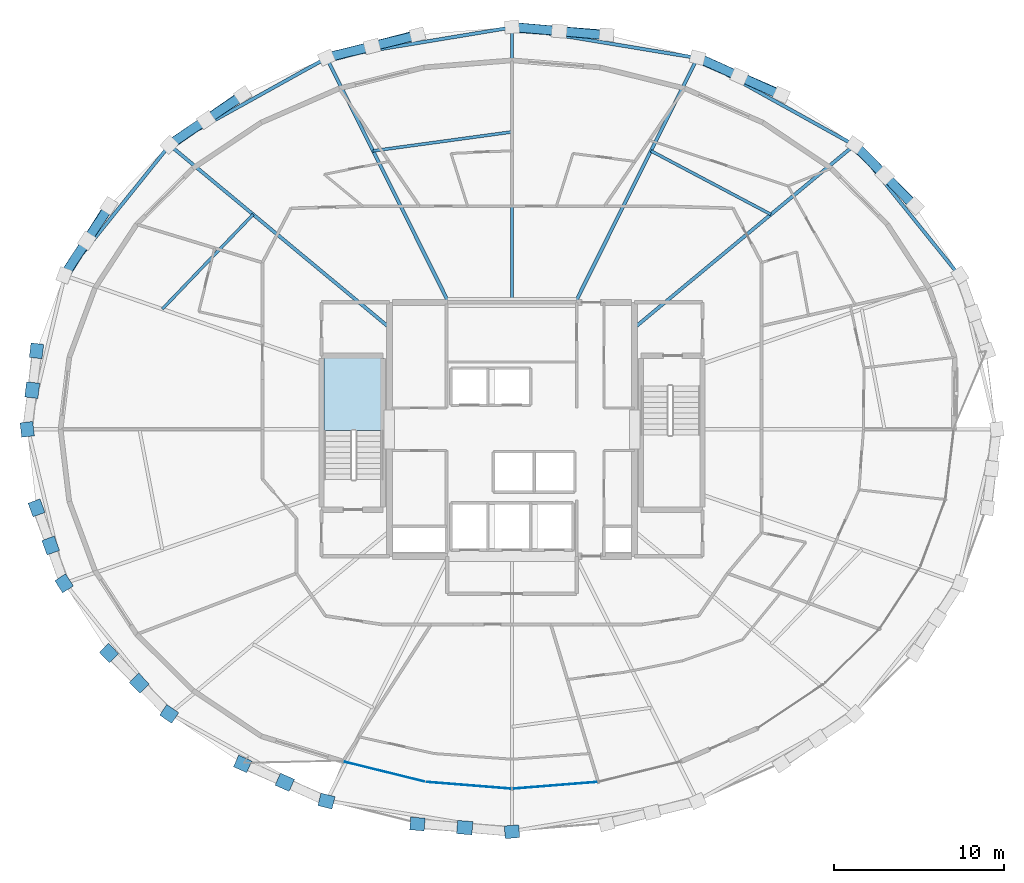
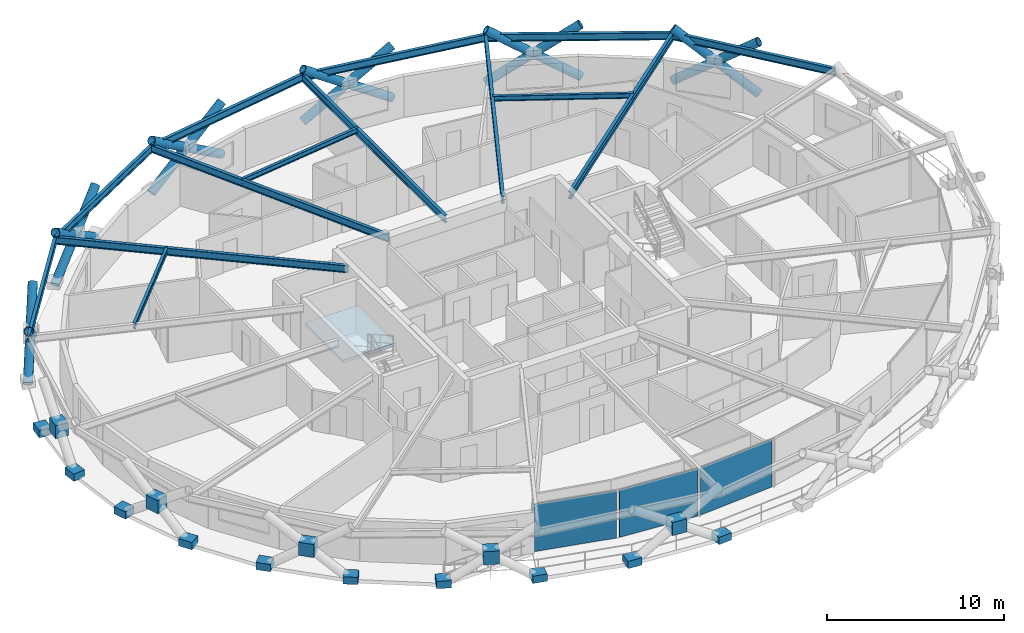
# One storey, part 12 of 21: 18 members, 18 plates, 14 beams, 1 slab, 2 elements without a shape of their own.
"""IFC4 building model written with IfcOpenShell, lengths in metres."""

from ifc_helpers import new_model, si_unit, direction, frame, origin, origin_2d, place, context, subcontext, project, spatial, polyline, rectangle, hollow_circle, i_section, outline, extrude, material, layer, layer_set, material_profile, profile_set, type_object, element, aggregate, save


model = new_model("IFC4")

# Units and contexts
model_context = context("Model", 3, precision=1e-05, world=origin(), true_north=direction((0.0, 1.0)))
body_context = subcontext(model_context, "Body", "Model", "MODEL_VIEW")
ifc_project = project(units=[si_unit("LENGTHUNIT", "METRE"), si_unit("AREAUNIT", "SQUARE_METRE"), si_unit("VOLUMEUNIT", "CUBIC_METRE"), si_unit("PLANEANGLEUNIT", "RADIAN"), si_unit("MASSUNIT", "GRAM", prefix="KILO")], contexts=[model_context])

# Site, building, storey
site_placement = place(None, origin())
site = spatial("IfcSite", under=ifc_project, at=site_placement, CompositionType="ELEMENT")
building_placement = place(site_placement, origin())
building = spatial("IfcBuilding", under=site, at=building_placement, Name="Veldorina Hangang Commons", CompositionType="ELEMENT")
storey_placement = place(building_placement, frame((0.0, 0.0, 138.800048828125)))
storey = spatial("IfcBuildingStorey", under=building, at=storey_placement, Name="L35", CompositionType="ELEMENT", Elevation=138.800048828125)

# Beams
ifc_material_1 = material(Name="Steel SM420-TMC", Category="steel")
ifc_material_profile_1 = material_profile(ifc_material_1, i_section(OverallWidth=0.199951171875, OverallDepth=0.5, WebThickness=0.010009765625, FlangeThickness=0.01611328125, FilletRadius=0.01611328125, at=origin_2d()), Name="H-500x200x10x16")
ifc_profile_set_1 = profile_set([ifc_material_profile_1], Name="Steel SM420-TMC")
beam_type_1 = type_object("IfcBeamType", Name="BM-FG500", PredefinedType="BEAM", material=ifc_profile_set_1)
beam_1_placement = place(storey_placement, frame((39.199951171875, 29.977294921875, 3.099853515625), z_axis=(0.76940907392, 0.638756351804, 0.0), x_axis=(-0.638756351804, 0.76940907392, 0.0)))
element("IfcBeam", 1, at=beam_1_placement, inside=storey, type_object=beam_type_1, Name="L35 radial floor girder 03", PredefinedType="BEAM", context=body_context, shape_type="SweptSolid", body=[
    extrude(i_section(OverallWidth=0.199951171875, OverallDepth=0.5, WebThickness=0.010009765625, FlangeThickness=0.01611328125, FilletRadius=0.01611328125, at=origin_2d()), origin(), (0.0, 0.0, 1.0), 16.761474609375),
])
beam_2_placement = place(storey_placement, frame((35.717041015625, 31.449951171875, 3.099853515625), z_axis=(0.44645827547, 0.894804452528, 0.0), x_axis=(-0.894804452528, 0.44645827547, 0.0)))
element("IfcBeam", 2, at=beam_2_placement, inside=storey, type_object=beam_type_1, Name="L35 radial floor girder 04", PredefinedType="BEAM", context=body_context, shape_type="SweptSolid", body=[
    extrude(i_section(OverallWidth=0.199951171875, OverallDepth=0.5, WebThickness=0.010009765625, FlangeThickness=0.01611328125, FilletRadius=0.01611328125, at=origin_2d()), origin(), (0.0, 0.0, 1.0), 16.035400390625),
])
beam_3_placement = place(storey_placement, frame((32.0, 31.449951171875, 3.099853515625), z_axis=(0.0, 1.0, 0.0), x_axis=(-1.0, 0.0, 0.0)))
element("IfcBeam", 3, at=beam_3_placement, inside=storey, type_object=beam_type_1, Name="L35 radial floor girder 05", PredefinedType="BEAM", context=body_context, shape_type="SweptSolid", body=[
    extrude(i_section(OverallWidth=0.199951171875, OverallDepth=0.5, WebThickness=0.010009765625, FlangeThickness=0.01611328125, FilletRadius=0.01611328125, at=origin_2d()), origin(), (0.0, 0.0, 1.0), 16.14453125),
])
beam_4_placement = place(storey_placement, frame((28.282958984375, 31.449951171875, 3.099853515625), z_axis=(-0.44645827547, 0.894804452528, 0.0), x_axis=(-0.894804452528, -0.44645827547, 0.0)))
element("IfcBeam", 4, at=beam_4_placement, inside=storey, type_object=beam_type_1, Name="L35 radial floor girder 06", PredefinedType="BEAM", context=body_context, shape_type="SweptSolid", body=[
    extrude(i_section(OverallWidth=0.199951171875, OverallDepth=0.5, WebThickness=0.010009765625, FlangeThickness=0.01611328125, FilletRadius=0.01611328125, at=origin_2d()), origin(), (0.0, 0.0, 1.0), 16.035400390625),
])
beam_5_placement = place(storey_placement, frame((24.800048828125, 29.977294921875, 3.099853515625), z_axis=(-0.76940907392, 0.638756351804, 0.0), x_axis=(-0.638756351804, -0.76940907392, 0.0)))
element("IfcBeam", 5, at=beam_5_placement, inside=storey, type_object=beam_type_1, Name="L35 radial floor girder 07", PredefinedType="BEAM", context=body_context, shape_type="SweptSolid", body=[
    extrude(i_section(OverallWidth=0.199951171875, OverallDepth=0.5, WebThickness=0.010009765625, FlangeThickness=0.01611328125, FilletRadius=0.01611328125, at=origin_2d()), origin(), (0.0, 0.0, 1.0), 16.761474609375),
])
ifc_material_2 = material(Name="Steel SM355-TMC", Category="steel")
ifc_material_profile_2 = material_profile(ifc_material_2, i_section(OverallWidth=0.175048828125, OverallDepth=0.35009765625, WebThickness=0.007080078125, FlangeThickness=0.010986328125, FilletRadius=0.012939453125, at=origin_2d()), Name="H-350x175x7x11")
ifc_profile_set_2 = profile_set([ifc_material_profile_2], Name="Steel SM355-TMC")
beam_type_2 = type_object("IfcBeamType", Name="BM-JST350", PredefinedType="JOIST", material=ifc_profile_set_2)
beam_6_placement = place(storey_placement, frame((47.19580078125, 36.615478515625, 3.175048828125), z_axis=(-0.883599270644, 0.468243877608, 0.0), x_axis=(-0.468243877608, -0.883599270644, 0.0)))
element("IfcBeam", 6, at=beam_6_placement, inside=storey, type_object=beam_type_2, Name="L35 secondary floor joist 03", PredefinedType="JOIST", context=body_context, shape_type="SweptSolid", body=[
    extrude(i_section(OverallWidth=0.175048828125, OverallDepth=0.35009765625, WebThickness=0.007080078125, FlangeThickness=0.010986328125, FilletRadius=0.012939453125, at=origin_2d()), origin(), (0.0, 0.0, 1.0), 7.967529296875),
])
beam_7_placement = place(storey_placement, frame((32.0, 41.459716796875, 3.175048828125), z_axis=(-0.990807774407, -0.135277323208, 0.0), x_axis=(0.135277323208, -0.990807774407, 0.0)))
element("IfcBeam", 7, at=beam_7_placement, inside=storey, type_object=beam_type_2, Name="L35 secondary floor joist 05", PredefinedType="JOIST", context=body_context, shape_type="SweptSolid", body=[
    extrude(i_section(OverallWidth=0.175048828125, OverallDepth=0.35009765625, WebThickness=0.007080078125, FlangeThickness=0.010986328125, FilletRadius=0.012939453125, at=origin_2d()), origin(), (0.0, 0.0, 1.0), 8.2314453125),
])
beam_8_placement = place(storey_placement, frame((16.80419921875, 36.615478515625, 3.175048828125), z_axis=(-0.692389270832, -0.721524149032, 0.0), x_axis=(0.721524149032, -0.692389270832, 0.0)))
element("IfcBeam", 8, at=beam_8_placement, inside=storey, type_object=beam_type_2, Name="L35 secondary floor joist 07", PredefinedType="JOIST", context=body_context, shape_type="SweptSolid", body=[
    extrude(i_section(OverallWidth=0.175048828125, OverallDepth=0.35009765625, WebThickness=0.007080078125, FlangeThickness=0.010986328125, FilletRadius=0.012939453125, at=origin_2d()), origin(), (0.0, 0.0, 1.0), 7.700927734375),
])
ifc_material_profile_3 = material_profile(ifc_material_1, i_section(OverallWidth=0.199951171875, OverallDepth=0.5, WebThickness=0.010009765625, FlangeThickness=0.01611328125, FilletRadius=0.01611328125, at=origin_2d()), Name="H-500x200x10x16")
ifc_profile_set_3 = profile_set([ifc_material_profile_3], Name="Steel SM420-TMC")
beam_type_3 = type_object("IfcBeamType", Name="BM-RB500", PredefinedType="BEAM", material=ifc_profile_set_3)
beam_9_placement = place(storey_placement, frame((58.25732421875, 33.029296875, 3.099853515625), z_axis=(-0.627004256478, 0.779015829338, 0.0), x_axis=(-0.779015829338, -0.627004256478, 0.0)))
element("IfcBeam", 9, at=beam_9_placement, inside=storey, type_object=beam_type_3, Name="L35 perimeter hoop ring beam 02", PredefinedType="BEAM", context=body_context, shape_type="SweptSolid", body=[
    extrude(i_section(OverallWidth=0.199951171875, OverallDepth=0.5, WebThickness=0.010009765625, FlangeThickness=0.01611328125, FilletRadius=0.01611328125, at=origin_2d()), origin(), (0.0, 0.0, 1.0), 9.825927734375),
])
beam_10_placement = place(storey_placement, frame((52.096435546875, 40.683837890625, 3.099853515625), z_axis=(-0.874462920475, 0.485092363076, 0.0), x_axis=(-0.485092363076, -0.874462920475, 0.0)))
element("IfcBeam", 10, at=beam_10_placement, inside=storey, type_object=beam_type_3, Name="L35 perimeter hoop ring beam 04", PredefinedType="BEAM", context=body_context, shape_type="SweptSolid", body=[
    extrude(i_section(OverallWidth=0.199951171875, OverallDepth=0.5, WebThickness=0.010009765625, FlangeThickness=0.01611328125, FilletRadius=0.01611328125, at=origin_2d()), origin(), (0.0, 0.0, 1.0), 10.5439453125),
])
for number, where, z_axis, x_axis, name in (
    (11, (42.876220703125, 45.798583984375, 3.099853515625), (-0.986640020354, 0.162915530982, 0.0), (-0.162915530982, -0.986640020354, 0.0), "L35 perimeter hoop ring beam 06"),
    (12, (32.0, 47.594482421875, 3.099853515625), (-0.986640020354, -0.162915530982, 0.0), (0.162915530982, -0.986640020354, 0.0), "L35 perimeter hoop ring beam 08"),
):
    element("IfcBeam", number, at=place(storey_placement, frame(where, z_axis=z_axis, x_axis=x_axis)), inside=storey, type_object=beam_type_3, Name=name, PredefinedType="BEAM", context=body_context, shape_type="SweptSolid", body=[
        extrude(i_section(OverallWidth=0.199951171875, OverallDepth=0.5, WebThickness=0.010009765625, FlangeThickness=0.01611328125, FilletRadius=0.01611328125, at=origin_2d()), origin(), (0.0, 0.0, 1.0), 11.0234375),
    ])
beam_11_placement = place(storey_placement, frame((21.123779296875, 45.798583984375, 3.099853515625), z_axis=(-0.874462920475, -0.485092363076, 0.0), x_axis=(0.485092363076, -0.874462920475, 0.0)))
element("IfcBeam", 13, at=beam_11_placement, inside=storey, type_object=beam_type_3, Name="L35 perimeter hoop ring beam 10", PredefinedType="BEAM", context=body_context, shape_type="SweptSolid", body=[
    extrude(i_section(OverallWidth=0.199951171875, OverallDepth=0.5, WebThickness=0.010009765625, FlangeThickness=0.01611328125, FilletRadius=0.01611328125, at=origin_2d()), origin(), (0.0, 0.0, 1.0), 10.5439453125),
])
beam_12_placement = place(storey_placement, frame((11.903564453125, 40.683837890625, 3.099853515625), z_axis=(-0.627004256478, -0.779015829338, 0.0), x_axis=(0.779015829338, -0.627004256478, 0.0)))
element("IfcBeam", 14, at=beam_12_placement, inside=storey, type_object=beam_type_3, Name="L35 perimeter hoop ring beam 12", PredefinedType="BEAM", context=body_context, shape_type="SweptSolid", body=[
    extrude(i_section(OverallWidth=0.199951171875, OverallDepth=0.5, WebThickness=0.010009765625, FlangeThickness=0.01611328125, FilletRadius=0.01611328125, at=origin_2d()), origin(), (0.0, 0.0, 1.0), 9.825927734375),
])

# Members
ifc_material_profile_4 = material_profile(ifc_material_1, hollow_circle(Radius=0.27490234375, WallThickness=0.028076171875, at=origin_2d()), Name="CHS-550x28")
ifc_profile_set_4 = profile_set([ifc_material_profile_4], Name="Steel SM420-TMC")
member_type = type_object("IfcMemberType", Name="DG-CHS550", PredefinedType="BRACE", material=ifc_profile_set_4)
member_1_placement = place(storey_placement, frame((55.662109375, 37.123046875, 0.0), z_axis=(-0.576370912783, 0.57443942771, 0.581219334494), x_axis=(-0.705919000413, -0.708292570098, 0.0)))
element("IfcMember", 15, at=member_1_placement, inside=storey, type_object=member_type, Name="L35 continuous perimeter diagrid brace 03", PredefinedType="BRACE", context=body_context, shape_type="SweptSolid", body=[
    extrude(hollow_circle(Radius=0.27490234375, WallThickness=0.028076171875, at=origin_2d()), origin(), (0.0, 0.0, 1.0), 6.193603515625),
])
member_2_placement = place(storey_placement, frame((52.123046875, 40.702392578125, 0.0), z_axis=(0.567116106404, -0.5820443716, 0.582755241371), x_axis=(0.716232079487, 0.697862169998, 0.0)))
element("IfcMember", 16, at=member_2_placement, inside=storey, type_object=member_type, Name="L35 split perimeter diagrid lower brace 04", PredefinedType="BRACE", context=body_context, shape_type="SweptSolid", body=[
    extrude(hollow_circle(Radius=0.27490234375, WallThickness=0.028076171875, at=origin_2d()), origin(), (0.0, 0.0, 1.0), 3.091064453125),
])
member_3_placement = place(storey_placement, frame((53.8759765625, 38.9033203125, 1.80126953125), z_axis=(0.566968615125, -0.582234371642, 0.582708954747), x_axis=(0.716436622213, 0.6976521815, 0.0)))
element("IfcMember", 17, at=member_3_placement, inside=storey, type_object=member_type, Name="L35 split perimeter diagrid upper brace 04", PredefinedType="BRACE", context=body_context, shape_type="SweptSolid", body=[
    extrude(hollow_circle(Radius=0.27490234375, WallThickness=0.028076171875, at=origin_2d()), origin(), (0.0, 0.0, 1.0), 3.086669921875),
])
member_4_placement = place(storey_placement, frame((47.810546875, 43.639892578125, 0.0), z_axis=(-0.761998222573, 0.332594644797, 0.555643330787), x_axis=(-0.400031679124, -0.916501312436, 0.0)))
element("IfcMember", 18, at=member_4_placement, inside=storey, type_object=member_type, Name="L35 continuous perimeter diagrid brace 05", PredefinedType="BRACE", context=body_context, shape_type="SweptSolid", body=[
    extrude(hollow_circle(Radius=0.27490234375, WallThickness=0.028076171875, at=origin_2d()), origin(), (0.0, 0.0, 1.0), 6.478759765625),
])
member_5_placement = place(storey_placement, frame((42.890380859375, 45.82275390625, 0.0), z_axis=(0.757252317701, -0.341461558306, 0.556752127554), x_axis=(0.411063347068, 0.91160678184, 0.0)))
element("IfcMember", 19, at=member_5_placement, inside=storey, type_object=member_type, Name="L35 split perimeter diagrid lower brace 06", PredefinedType="BRACE", context=body_context, shape_type="SweptSolid", body=[
    extrude(hollow_circle(Radius=0.27490234375, WallThickness=0.028076171875, at=origin_2d()), origin(), (0.0, 0.0, 1.0), 3.2353515625),
])
member_6_placement = place(storey_placement, frame((45.34033203125, 44.718017578125, 1.80126953125), z_axis=(0.757184698067, -0.341598446478, 0.556760122833), x_axis=(0.411230790721, 0.911531259345, 0.0)))
element("IfcMember", 20, at=member_6_placement, inside=storey, type_object=member_type, Name="L35 split perimeter diagrid upper brace 06", PredefinedType="BRACE", context=body_context, shape_type="SweptSolid", body=[
    extrude(hollow_circle(Radius=0.27490234375, WallThickness=0.028076171875, at=origin_2d()), origin(), (0.0, 0.0, 1.0), 3.23046875),
])
member_7_placement = place(storey_placement, frame((37.552001953125, 47.1669921875, 0.0), z_axis=(-0.837348997778, 0.063847815054, 0.542927354656), x_axis=(-0.076029246281, -0.997105588045, 0.0)))
element("IfcMember", 21, at=member_7_placement, inside=storey, type_object=member_type, Name="L35 continuous perimeter diagrid brace 07", PredefinedType="BRACE", context=body_context, shape_type="SweptSolid", body=[
    extrude(hollow_circle(Radius=0.27490234375, WallThickness=0.028076171875, at=origin_2d()), origin(), (0.0, 0.0, 1.0), 6.63037109375),
])
member_8_placement = place(storey_placement, frame((32.0, 47.620849609375, 0.0), z_axis=(0.836432664859, -0.072960546684, 0.543191638177), x_axis=(0.086898269155, 0.996217190585, 0.0)))
element("IfcMember", 22, at=member_8_placement, inside=storey, type_object=member_type, Name="L35 split perimeter diagrid lower brace 08", PredefinedType="BRACE", context=body_context, shape_type="SweptSolid", body=[
    extrude(hollow_circle(Radius=0.27490234375, WallThickness=0.028076171875, at=origin_2d()), origin(), (0.0, 0.0, 1.0), 3.316162109375),
])
member_9_placement = place(storey_placement, frame((34.773681640625, 47.37890625, 1.80126953125), z_axis=(0.836446792609, -0.073064677962, 0.543155885514), x_axis=(0.087019895521, 0.996206573851, 0.0)))
element("IfcMember", 23, at=member_9_placement, inside=storey, type_object=member_type, Name="L35 split perimeter diagrid upper brace 08", PredefinedType="BRACE", context=body_context, shape_type="SweptSolid", body=[
    extrude(hollow_circle(Radius=0.27490234375, WallThickness=0.028076171875, at=origin_2d()), origin(), (0.0, 0.0, 1.0), 3.311279296875),
])
member_10_placement = place(storey_placement, frame((26.447998046875, 47.1669921875, 0.0), z_axis=(-0.810024848497, -0.208879239995, 0.547931754798), x_axis=(0.249699327644, -0.968323420028, 0.0)))
element("IfcMember", 24, at=member_10_placement, inside=storey, type_object=member_type, Name="L35 continuous perimeter diagrid brace 09", PredefinedType="BRACE", context=body_context, shape_type="SweptSolid", body=[
    extrude(hollow_circle(Radius=0.27490234375, WallThickness=0.028076171875, at=origin_2d()), origin(), (0.0, 0.0, 1.0), 6.56982421875),
])
member_11_placement = place(storey_placement, frame((21.109619140625, 45.82275390625, 0.0), z_axis=(0.812811309548, 0.199735455481, 0.547214329943), x_axis=(-0.238634696144, 0.971109407738, 0.0)))
element("IfcMember", 25, at=member_11_placement, inside=storey, type_object=member_type, Name="L35 split perimeter diagrid lower brace 10", PredefinedType="BRACE", context=body_context, shape_type="SweptSolid", body=[
    extrude(hollow_circle(Radius=0.27490234375, WallThickness=0.028076171875, at=origin_2d()), origin(), (0.0, 0.0, 1.0), 3.291748046875),
])
member_12_placement = place(storey_placement, frame((23.78515625, 46.480224609375, 1.80126953125), z_axis=(0.812782403893, 0.199815816713, 0.547227926291), x_axis=(-0.238733243494, 0.971085185991, 0.0)))
element("IfcMember", 26, at=member_12_placement, inside=storey, type_object=member_type, Name="L35 split perimeter diagrid upper brace 10", PredefinedType="BRACE", context=body_context, shape_type="SweptSolid", body=[
    extrude(hollow_circle(Radius=0.27490234375, WallThickness=0.028076171875, at=origin_2d()), origin(), (0.0, 0.0, 1.0), 3.28662109375),
])
member_13_placement = place(storey_placement, frame((16.189453125, 43.639892578125, 0.0), z_axis=(-0.676597978989, -0.467577118562, 0.568846915281), x_axis=(0.568521924391, -0.822668111383, 0.0)))
element("IfcMember", 27, at=member_13_placement, inside=storey, type_object=member_type, Name="L35 continuous perimeter diagrid brace 11", PredefinedType="BRACE", context=body_context, shape_type="SweptSolid", body=[
    extrude(hollow_circle(Radius=0.27490234375, WallThickness=0.028076171875, at=origin_2d()), origin(), (0.0, 0.0, 1.0), 6.328369140625),
])
member_14_placement = place(storey_placement, frame((11.876953125, 40.702392578125, 0.0), z_axis=(0.683635289803, 0.458986996236, 0.567427288577), x_axis=(-0.55741303501, 0.830235333144, 0.0)))
element("IfcMember", 28, at=member_14_placement, inside=storey, type_object=member_type, Name="L35 split perimeter diagrid lower brace 12", PredefinedType="BRACE", context=body_context, shape_type="SweptSolid", body=[
    extrude(hollow_circle(Radius=0.27490234375, WallThickness=0.028076171875, at=origin_2d()), origin(), (0.0, 0.0, 1.0), 3.174560546875),
])
member_15_placement = place(storey_placement, frame((14.047119140625, 42.159423828125, 1.80126953125), z_axis=(0.683541898355, 0.459083808226, 0.567461479061), x_axis=(-0.557546561538, 0.830145668975, 0.0)))
element("IfcMember", 29, at=member_15_placement, inside=storey, type_object=member_type, Name="L35 split perimeter diagrid upper brace 12", PredefinedType="BRACE", context=body_context, shape_type="SweptSolid", body=[
    extrude(hollow_circle(Radius=0.27490234375, WallThickness=0.028076171875, at=origin_2d()), origin(), (0.0, 0.0, 1.0), 3.16943359375),
])
member_16_placement = place(storey_placement, frame((8.337890625, 37.123046875, 0.0), z_axis=(-0.428999524315, -0.678463940831, 0.596360703878), x_axis=(0.845209823893, -0.53443461115, 0.0)))
element("IfcMember", 30, at=member_16_placement, inside=storey, type_object=member_type, Name="L35 continuous perimeter diagrid brace 13", PredefinedType="BRACE", context=body_context, shape_type="SweptSolid", body=[
    extrude(hollow_circle(Radius=0.27490234375, WallThickness=0.028076171875, at=origin_2d()), origin(), (0.0, 0.0, 1.0), 6.036376953125),
])
member_17_placement = place(storey_placement, frame((5.7080078125, 33.039306640625, 0.0), z_axis=(0.440730586123, 0.672104063083, 0.595006452775), x_axis=(-0.836240595863, 0.54836271375, 0.0)))
element("IfcMember", 31, at=member_17_placement, inside=storey, type_object=member_type, Name="L35 split perimeter diagrid lower brace 14", PredefinedType="BRACE", context=body_context, shape_type="SweptSolid", body=[
    extrude(hollow_circle(Radius=0.27490234375, WallThickness=0.028076171875, at=origin_2d()), origin(), (0.0, 0.0, 1.0), 3.02734375),
])
member_18_placement = place(storey_placement, frame((7.042236328125, 35.073974609375, 1.80126953125), z_axis=(0.440552028221, 0.672255743888, 0.594967331238), x_axis=(-0.836399180804, 0.548120799049, 0.0)))
element("IfcMember", 32, at=member_18_placement, inside=storey, type_object=member_type, Name="L35 split perimeter diagrid upper brace 14", PredefinedType="BRACE", context=body_context, shape_type="SweptSolid", body=[
    extrude(hollow_circle(Radius=0.27490234375, WallThickness=0.028076171875, at=origin_2d()), origin(), (0.0, 0.0, 1.0), 3.02294921875),
])

# Curtain wall, plates
ifc_material_3 = material(Name="Glass Low-E Triple IGU", Category="glass")
ifc_layer_1 = layer(ifc_material_3, 0.179931640625)
ifc_layer_set_1 = layer_set([ifc_layer_1], Name="Glass Low-E Triple IGU")
curtain_wall_type = type_object("IfcCurtainWallType", Name="CW-SYS-Z2", PredefinedType="NOTDEFINED", material=ifc_layer_set_1)
curtain_wall_placement = place(storey_placement, origin())
curtain_wall = element("IfcCurtainWall", 33, at=curtain_wall_placement, inside=storey, type_object=curtain_wall_type, Name="L35 unitised curtain wall CW-L35-R1", PredefinedType="NOTDEFINED")
ifc_layer_2 = layer(ifc_material_3, 0.0400390625)
ifc_layer_set_2 = layer_set([ifc_layer_2], Name="Glass Low-E Triple IGU")
plate_type_1 = type_object("IfcPlateType", Name="CW-PNL-VIS", PredefinedType="CURTAIN_PANEL", material=ifc_layer_set_2)
plate_1_placement = place(storey_placement, frame((24.506591796875, 3.905029296875, 0.01513671875), z_axis=(0.0, 0.0, 1.0), x_axis=(0.970875593344, -0.239584186139, 0.0)))
plate_1 = element("IfcPlate", 34, at=plate_1_placement, type_object=plate_type_1, Name="CW-L35-R1 facet 1 glazed vision panel", PredefinedType="CURTAIN_PANEL", context=body_context, shape_type="SweptSolid", body=[
    extrude(rectangle(XDim=4.831787109375, YDim=0.0400390625, at=origin_2d()), origin(), (0.0, 0.0, 1.0), 3.280029296875),
])
plate_2_placement = place(storey_placement, frame((29.469970703125, 3.101806640625, 0.01513671875), z_axis=(0.0, 0.0, 1.0), x_axis=(0.996806812434, -0.079850977983, 0.0)))
plate_2 = element("IfcPlate", 35, at=plate_2_placement, type_object=plate_type_1, Name="CW-L35-R1 facet 2 glazed vision panel", PredefinedType="CURTAIN_PANEL", context=body_context, shape_type="SweptSolid", body=[
    extrude(rectangle(XDim=4.896484375, YDim=0.0400390625, at=origin_2d()), origin(), (0.0, 0.0, 1.0), 3.280029296875),
])
plate_3_placement = place(storey_placement, frame((34.530029296875, 3.101806640625, 0.01513671875), z_axis=(0.0, 0.0, 1.0), x_axis=(0.996806812434, 0.079850977983, 0.0)))
plate_3 = element("IfcPlate", 36, at=plate_3_placement, type_object=plate_type_1, Name="CW-L35-R1 facet 3 glazed vision panel", PredefinedType="CURTAIN_PANEL", context=body_context, shape_type="SweptSolid", body=[
    extrude(rectangle(XDim=4.896484375, YDim=0.0400390625, at=origin_2d()), origin(), (0.0, 0.0, 1.0), 3.280029296875),
])
aggregate(curtain_wall, [plate_1, plate_2, plate_3])

# Plates
ifc_material_4 = material(Name="Steel SM460-TMC", Category="steel")
ifc_layer_3 = layer(ifc_material_4, 0.035888671875)
ifc_layer_set_3 = layer_set([ifc_layer_3], Name="Steel SM460-TMC")
plate_type_2 = type_object("IfcPlateType", Name="PL-STAR-36", PredefinedType="USERDEFINED", material=ifc_layer_set_3)
plate_4_placement = place(storey_placement, frame((4.08837890625, 28.608154296875, -0.090087890625), z_axis=(0.0, 0.0, 1.0), x_axis=(-0.117832041622, -0.993033539195, 0.0)))
element("IfcPlate", 37, at=plate_4_placement, inside=storey, type_object=plate_type_2, Name="L35 diagrid star-node gusset plate 15", ObjectType="GUSSET PLATE", PredefinedType="USERDEFINED", context=body_context, shape_type="SweptSolid", body=[
    extrude(rectangle(XDim=0.85009765625, YDim=0.75, at=origin_2d()), origin(), (0.0, 0.0, 1.0), 0.5),
])
plate_5_placement = place(storey_placement, frame((3.8369140625, 26.302490234375, 1.351318359375), z_axis=(0.0, 0.0, 1.0), x_axis=(-0.117832041622, -0.993033539195, 0.0)))
element("IfcPlate", 38, at=plate_5_placement, inside=storey, type_object=plate_type_2, Name="L35 diagrid X-crossing star-node gusset plate 15", ObjectType="GUSSET PLATE", PredefinedType="USERDEFINED", context=body_context, shape_type="SweptSolid", body=[
    extrude(rectangle(XDim=0.89990234375, YDim=0.780029296875, at=origin_2d()), origin(), (0.0, 0.0, 1.0), 0.89990234375),
])
for number, where, z_axis, x_axis, name in (
    (39, (3.541748046875, 24.0, -0.090087890625), (0.0, 0.0, 1.0), (0.117832041622, -0.993033539195, 0.0), "L35 diagrid star-node gusset plate 16"),
    (40, (4.08837890625, 19.391845703125, -0.090087890625), (0.0, 0.0, 1.0), (0.343282690313, -0.93923213027, 0.0), "L35 diagrid star-node gusset plate 17"),
):
    element("IfcPlate", number, at=place(storey_placement, frame(where, z_axis=z_axis, x_axis=x_axis)), inside=storey, type_object=plate_type_2, Name=name, ObjectType="GUSSET PLATE", PredefinedType="USERDEFINED", context=body_context, shape_type="SweptSolid", body=[
        extrude(rectangle(XDim=0.85009765625, YDim=0.75, at=origin_2d()), origin(), (0.0, 0.0, 1.0), 0.5),
    ])
plate_6_placement = place(storey_placement, frame((4.9189453125, 17.1806640625, 1.351318359375), z_axis=(0.0, 0.0, 1.0), x_axis=(0.343282690313, -0.93923213027, 0.0)))
element("IfcPlate", 41, at=plate_6_placement, inside=storey, type_object=plate_type_2, Name="L35 diagrid X-crossing star-node gusset plate 17", ObjectType="GUSSET PLATE", PredefinedType="USERDEFINED", context=body_context, shape_type="SweptSolid", body=[
    extrude(rectangle(XDim=0.89990234375, YDim=0.780029296875, at=origin_2d()), origin(), (0.0, 0.0, 1.0), 0.89990234375),
])
for number, where, z_axis, x_axis, name in (
    (42, (5.7080078125, 14.960693359375, -0.090087890625), (0.0, 0.0, 1.0), (0.541429438061, -0.84074619452, 0.0), "L35 diagrid star-node gusset plate 18"),
    (43, (8.337890625, 10.876953125, -0.090087890625), (0.0, 0.0, 1.0), (0.703096902123, -0.71109404879, 0.0), "L35 diagrid star-node gusset plate 19"),
):
    element("IfcPlate", number, at=place(storey_placement, frame(where, z_axis=z_axis, x_axis=x_axis)), inside=storey, type_object=plate_type_2, Name=name, ObjectType="GUSSET PLATE", PredefinedType="USERDEFINED", context=body_context, shape_type="SweptSolid", body=[
        extrude(rectangle(XDim=0.85009765625, YDim=0.75, at=origin_2d()), origin(), (0.0, 0.0, 1.0), 0.5),
    ])
plate_7_placement = place(storey_placement, frame((10.1240234375, 9.0966796875, 1.351318359375), z_axis=(0.0, 0.0, 1.0), x_axis=(0.703096902123, -0.71109404879, 0.0)))
element("IfcPlate", 44, at=plate_7_placement, inside=storey, type_object=plate_type_2, Name="L35 diagrid X-crossing star-node gusset plate 19", ObjectType="GUSSET PLATE", PredefinedType="USERDEFINED", context=body_context, shape_type="SweptSolid", body=[
    extrude(rectangle(XDim=0.89990234375, YDim=0.780029296875, at=origin_2d()), origin(), (0.0, 0.0, 1.0), 0.89990234375),
])
for number, where, z_axis, x_axis, name in (
    (45, (11.876953125, 7.297607421875, -0.090087890625), (0.0, 0.0, 1.0), (0.82647185741, -0.562978035902, 0.0), "L35 diagrid star-node gusset plate 20"),
    (46, (16.189453125, 4.360107421875, -0.090087890625), (0.0, 0.0, 1.0), (0.914084169721, -0.405524513027, 0.0), "L35 diagrid star-node gusset plate 21"),
):
    element("IfcPlate", number, at=place(storey_placement, frame(where, z_axis=z_axis, x_axis=x_axis)), inside=storey, type_object=plate_type_2, Name=name, ObjectType="GUSSET PLATE", PredefinedType="USERDEFINED", context=body_context, shape_type="SweptSolid", body=[
        extrude(rectangle(XDim=0.85009765625, YDim=0.75, at=origin_2d()), origin(), (0.0, 0.0, 1.0), 0.5),
    ])
plate_8_placement = place(storey_placement, frame((18.65966796875, 3.281982421875, 1.351318359375), z_axis=(0.0, 0.0, 1.0), x_axis=(0.914084169721, -0.405524513027, 0.0)))
element("IfcPlate", 47, at=plate_8_placement, inside=storey, type_object=plate_type_2, Name="L35 diagrid X-crossing star-node gusset plate 21", ObjectType="GUSSET PLATE", PredefinedType="USERDEFINED", context=body_context, shape_type="SweptSolid", body=[
    extrude(rectangle(XDim=0.89990234375, YDim=0.780029296875, at=origin_2d()), origin(), (0.0, 0.0, 1.0), 0.89990234375),
])
for number, where, z_axis, x_axis, name in (
    (48, (21.109619140625, 2.17724609375, -0.090087890625), (0.0, 0.0, 1.0), (0.969735803737, -0.244156652482, 0.0), "L35 diagrid star-node gusset plate 22"),
    (49, (26.447998046875, 0.8330078125, -0.090087890625), (0.0, 0.0, 1.0), (0.996674466718, -0.081486240509, 0.0), "L35 diagrid star-node gusset plate 23"),
):
    element("IfcPlate", number, at=place(storey_placement, frame(where, z_axis=z_axis, x_axis=x_axis)), inside=storey, type_object=plate_type_2, Name=name, ObjectType="GUSSET PLATE", PredefinedType="USERDEFINED", context=body_context, shape_type="SweptSolid", body=[
        extrude(rectangle(XDim=0.85009765625, YDim=0.75, at=origin_2d()), origin(), (0.0, 0.0, 1.0), 0.5),
    ])
plate_9_placement = place(storey_placement, frame((29.226318359375, 0.62109375, 1.351318359375), z_axis=(0.0, 0.0, 1.0), x_axis=(0.996674466718, -0.081486240509, 0.0)))
element("IfcPlate", 50, at=plate_9_placement, inside=storey, type_object=plate_type_2, Name="L35 diagrid X-crossing star-node gusset plate 23", ObjectType="GUSSET PLATE", PredefinedType="USERDEFINED", context=body_context, shape_type="SweptSolid", body=[
    extrude(rectangle(XDim=0.89990234375, YDim=0.780029296875, at=origin_2d()), origin(), (0.0, 0.0, 1.0), 0.89990234375),
])
plate_10_placement = place(storey_placement, frame((32.0, 0.379150390625, -0.090087890625), z_axis=(0.0, 0.0, 1.0), x_axis=(0.996674466718, 0.081486240509, 0.0)))
element("IfcPlate", 51, at=plate_10_placement, inside=storey, type_object=plate_type_2, Name="L35 diagrid star-node gusset plate 24", ObjectType="GUSSET PLATE", PredefinedType="USERDEFINED", context=body_context, shape_type="SweptSolid", body=[
    extrude(rectangle(XDim=0.85009765625, YDim=0.75, at=origin_2d()), origin(), (0.0, 0.0, 1.0), 0.5),
])

# Stair, slab
ifc_material_5 = material(Name="Concrete C40/50", Category="concrete")
stair_type = type_object("IfcStairType", Name="STR-DOG-1650-20R", PredefinedType="HALF_TURN_STAIR", material=ifc_material_5)
stair_placement = place(storey_placement, origin())
stair = element("IfcStair", 52, at=stair_placement, inside=storey, type_object=stair_type, Name="L35 Exit stair ST-1", PredefinedType="HALF_TURN_STAIR")
ifc_layer_4 = layer(ifc_material_5, 0.199951171875)
ifc_layer_set_4 = layer_set([ifc_layer_4], Name="Concrete C40/50")
slab_type = type_object("IfcSlabType", Name="SL-LND-200", PredefinedType="LANDING", material=ifc_layer_set_4)
slab_placement = place(storey_placement, frame((0.0, 0.0, 1.599853515625)))
slab = element("IfcSlab", 53, at=slab_placement, type_object=slab_type, Name="ST-1 landing 1", PredefinedType="LANDING", context=body_context, shape_type="SweptSolid", body=[
    extrude(outline(polyline([(24.449951171875, 23.929931640625), (24.449951171875, 28.199951171875), (20.949951171875, 28.199951171875), (20.949951171875, 23.929931640625), (24.449951171875, 23.929931640625)])), origin(), (0.0, 0.0, 1.0), 0.2001953125),
])
aggregate(stair, [slab])

save(model, "model.ifc")
